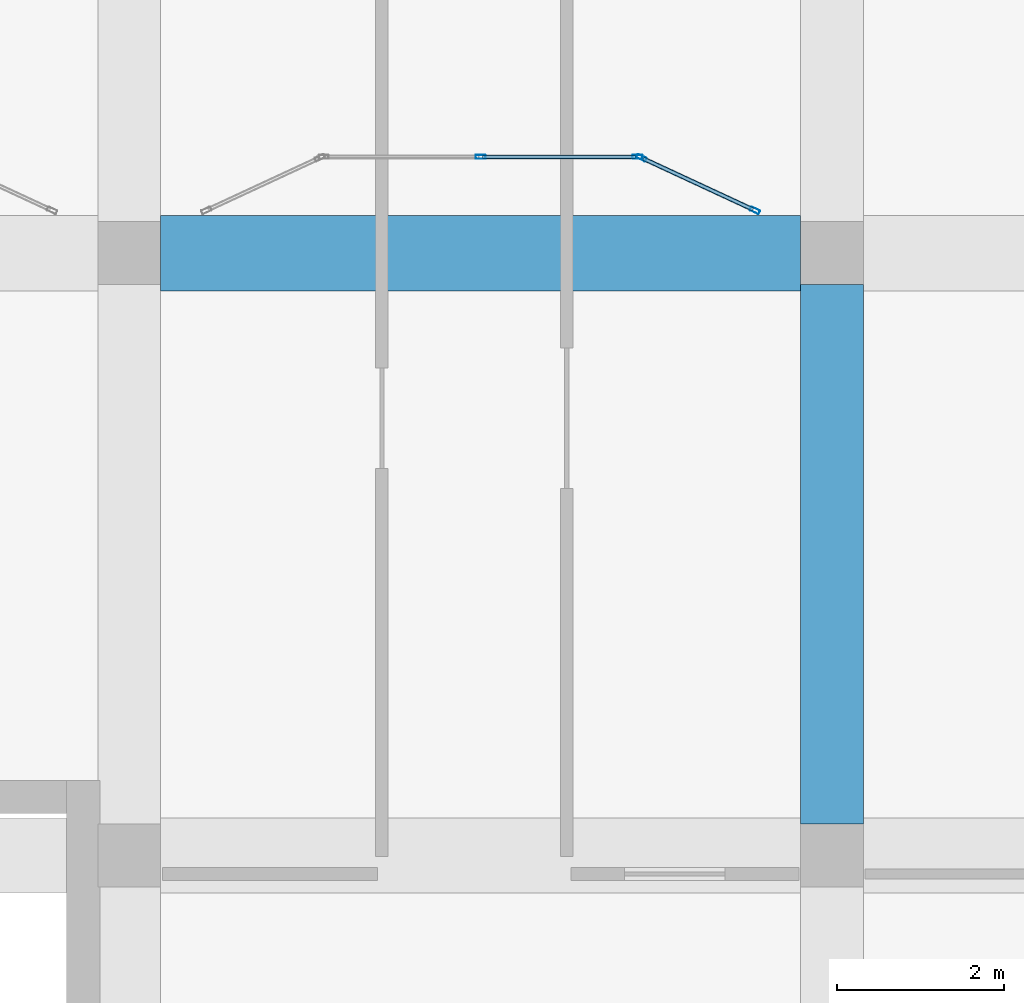
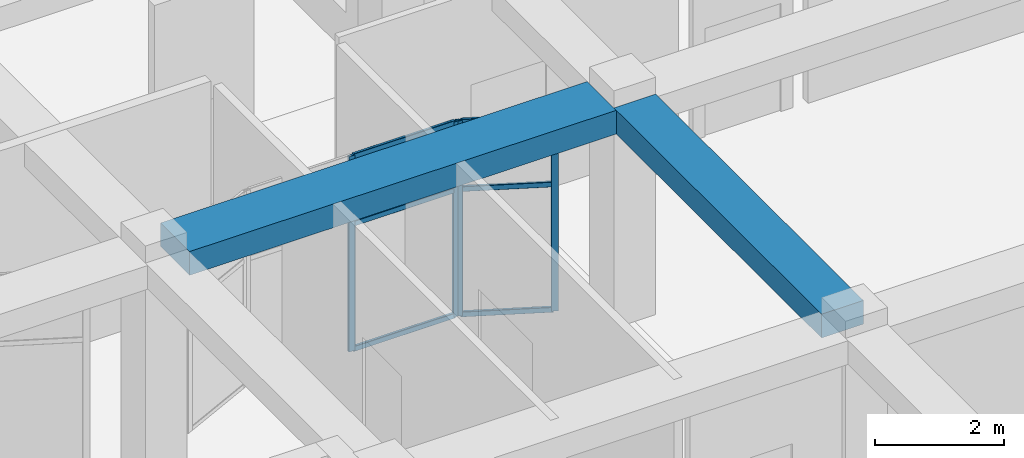
# One storey, part 25 of 121: 10 members, 2 beams, 2 elements without a shape of their own.
"""IFC4 building model written with IfcOpenShell, lengths in metres."""

from ifc_helpers import new_model, si_unit, derived_unit, direction, frame, origin, origin_2d, place, context, subcontext, project, spatial, rectangle, hollow_rectangle, extrude, material, material_profile, profile_set, type_object, element, aggregate, save


model = new_model("IFC4")

# Units and contexts
model_context = context("Model", 3, precision=1e-05, world=origin(), true_north=direction((0.0, 1.0)))
body_context = subcontext(model_context, "Body", "Model", "MODEL_VIEW")
ifc_project = project(units=[si_unit("LENGTHUNIT", "METRE"), si_unit("AREAUNIT", "SQUARE_METRE"), si_unit("VOLUMEUNIT", "CUBIC_METRE"), si_unit("PLANEANGLEUNIT", "RADIAN"), si_unit("MASSUNIT", "GRAM", prefix="KILO"), derived_unit("THERMALTRANSMITTANCEUNIT", [(si_unit("POWERUNIT", "WATT"), 1), (si_unit("LENGTHUNIT", "METRE"), -2), (si_unit("THERMODYNAMICTEMPERATUREUNIT", "KELVIN"), -1)])], contexts=[model_context])

# Site, building, storey
site_placement = place(None, origin())
site = spatial("IfcSite", under=ifc_project, at=site_placement, CompositionType="ELEMENT")
building_placement = place(site_placement, origin())
building = spatial("IfcBuilding", under=site, at=building_placement, Name="Veybourne Emporium", CompositionType="ELEMENT")
storey_placement = place(building_placement, frame((0.0, 0.0, 5.39990234375)))
storey = spatial("IfcBuildingStorey", under=building, at=storey_placement, Name="L01", CompositionType="ELEMENT", Elevation=5.39990234375)

# Curtain wall, members
ifc_material_1 = material(Name="Patinated Architectural Bronze", Category="bronze")
curtain_wall_type_1 = type_object("IfcCurtainWallType", Name="CWSystem_CWI-06", PredefinedType="NOTDEFINED", material=ifc_material_1)
curtain_wall_1_placement = place(storey_placement, origin())
curtain_wall_1 = element("IfcCurtainWall", 1, at=curtain_wall_1_placement, inside=storey, type_object=curtain_wall_type_1, Name="Arcade bow-front boutique shopfront L01 bay 10 facet 2", PredefinedType="NOTDEFINED")
ifc_material_profile_1 = material_profile(ifc_material_1, hollow_rectangle(XDim=0.050048828125, YDim=0.1201171875, WallThickness=0.00390625, InnerFilletRadius=0.006103515625, OuterFilletRadius=0.010009765625, at=origin_2d()), Name="CWM 50x120x4")
ifc_profile_set_1 = profile_set([ifc_material_profile_1], Name="Patinated Architectural Bronze")
member_type_1 = type_object("IfcMemberType", Name="CWMullion_CW-M5", PredefinedType="MULLION", material=ifc_profile_set_1)
member_1_placement = place(storey_placement, frame((88.199951171875, 22.75, 0.0), z_axis=(0.0, 0.0, 1.0), x_axis=(0.0, 1.0, 0.0)))
member_1 = element("IfcMember", 2, at=member_1_placement, type_object=member_type_1, Name="CWI-06 mullion 2", PredefinedType="MULLION", context=body_context, shape_type="SweptSolid", body=[
    extrude(hollow_rectangle(XDim=0.050048828125, YDim=0.1201171875, WallThickness=0.00390625, InnerFilletRadius=0.006103515625, OuterFilletRadius=0.010009765625, at=origin_2d()), origin(), (0.0, 0.0, 1.0), 3.7001953125),
])
member_2_placement = place(storey_placement, frame((90.074951171875, 22.75, 0.0), z_axis=(0.0, 0.0, 1.0), x_axis=(0.0, 1.0, 0.0)))
member_2 = element("IfcMember", 3, at=member_2_placement, type_object=member_type_1, Name="CWI-06 mullion 3", PredefinedType="MULLION", context=body_context, shape_type="SweptSolid", body=[
    extrude(hollow_rectangle(XDim=0.050048828125, YDim=0.1201171875, WallThickness=0.00390625, InnerFilletRadius=0.006103515625, OuterFilletRadius=0.010009765625, at=origin_2d()), origin(), (0.0, 0.0, 1.0), 3.7001953125),
])

curtain_wall_type_2 = type_object("IfcCurtainWallType", Name="CWSystem_CWI-01", PredefinedType="NOTDEFINED", material=ifc_material_1)
curtain_wall_2_placement = place(storey_placement, origin())
curtain_wall_2 = element("IfcCurtainWall", 4, at=curtain_wall_2_placement, inside=storey, type_object=curtain_wall_type_2, Name="Arcade bow-front boutique shopfront L01 bay 10 facet 3", PredefinedType="NOTDEFINED")
member_3_placement = place(storey_placement, frame((90.12255859375, 22.739501953125, 0.0), z_axis=(0.0, 0.0, 1.0), x_axis=(0.421111306453, 0.907008967749, 0.0)))
member_3 = element("IfcMember", 5, at=member_3_placement, type_object=member_type_1, Name="CWI-01 mullion 1", PredefinedType="MULLION", context=body_context, shape_type="SweptSolid", body=[
    extrude(hollow_rectangle(XDim=0.050048828125, YDim=0.1201171875, WallThickness=0.00390625, InnerFilletRadius=0.006103515625, OuterFilletRadius=0.010009765625, at=origin_2d()), origin(), (0.0, 0.0, 1.0), 3.7001953125),
])
member_4_placement = place(storey_placement, frame((91.477294921875, 22.110595703125, 0.0), z_axis=(0.0, 0.0, 1.0), x_axis=(0.421111306453, 0.907008967749, 0.0)))
member_4 = element("IfcMember", 6, at=member_4_placement, type_object=member_type_1, Name="CWI-01 mullion 2", PredefinedType="MULLION", context=body_context, shape_type="SweptSolid", body=[
    extrude(hollow_rectangle(XDim=0.050048828125, YDim=0.1201171875, WallThickness=0.00390625, InnerFilletRadius=0.006103515625, OuterFilletRadius=0.010009765625, at=origin_2d()), origin(), (0.0, 0.0, 1.0), 3.7001953125),
])

# Member
ifc_material_profile_2 = material_profile(ifc_material_1, hollow_rectangle(XDim=0.050048828125, YDim=0.10009765625, WallThickness=0.00390625, InnerFilletRadius=0.006103515625, OuterFilletRadius=0.010009765625, at=origin_2d()), Name="CWT 50x100x4")
ifc_profile_set_2 = profile_set([ifc_material_profile_2], Name="Patinated Architectural Bronze")
member_type_2 = type_object("IfcMemberType", Name="CWTransom_CW-T5", PredefinedType="NOTDEFINED", material=ifc_profile_set_2)
member_5_placement = place(storey_placement, frame((88.22509765625, 22.75, 0.025146484375), z_axis=(1.0, 0.0, 0.0), x_axis=(0.0, 1.0, 0.0)))
member_5 = element("IfcMember", 7, at=member_5_placement, type_object=member_type_2, Name="CWI-06 transom 2.1", ObjectType="TRANSOM", PredefinedType="USERDEFINED", context=body_context, shape_type="SweptSolid", body=[
    extrude(hollow_rectangle(XDim=0.050048828125, YDim=0.10009765625, WallThickness=0.00390625, InnerFilletRadius=0.006103515625, OuterFilletRadius=0.010009765625, at=origin_2d()), origin(), (0.0, 0.0, 1.0), 1.824951171875),
])

member_6_placement = place(storey_placement, frame((88.22509765625, 22.75, 2.400146484375), z_axis=(1.0, 0.0, 0.0), x_axis=(0.0, 1.0, 0.0)))
member_6 = element("IfcMember", 8, at=member_6_placement, type_object=member_type_2, Name="CWI-06 transom 2.2", ObjectType="TRANSOM", PredefinedType="USERDEFINED", context=body_context, shape_type="SweptSolid", body=[
    extrude(hollow_rectangle(XDim=0.050048828125, YDim=0.10009765625, WallThickness=0.00390625, InnerFilletRadius=0.006103515625, OuterFilletRadius=0.010009765625, at=origin_2d()), origin(), (0.0, 0.0, 1.0), 1.824951171875),
])

member_7_placement = place(storey_placement, frame((88.22509765625, 22.75, 3.675048828125), z_axis=(1.0, 0.0, 0.0), x_axis=(0.0, 1.0, 0.0)))
member_7 = element("IfcMember", 9, at=member_7_placement, type_object=member_type_2, Name="CWI-06 transom 2.3", ObjectType="TRANSOM", PredefinedType="USERDEFINED", context=body_context, shape_type="SweptSolid", body=[
    extrude(hollow_rectangle(XDim=0.050048828125, YDim=0.10009765625, WallThickness=0.00390625, InnerFilletRadius=0.006103515625, OuterFilletRadius=0.010009765625, at=origin_2d()), origin(), (0.0, 0.0, 1.0), 1.824951171875),
])

aggregate(curtain_wall_1, [member_1, member_2, member_5, member_6, member_7])

member_8_placement = place(storey_placement, frame((90.145263671875, 22.72900390625, 0.025146484375), z_axis=(0.907006660705, -0.421116275435, 0.0), x_axis=(0.421116275435, 0.907006660705, 0.0)))
member_8 = element("IfcMember", 10, at=member_8_placement, type_object=member_type_2, Name="CWI-01 transom 1.1", ObjectType="TRANSOM", PredefinedType="USERDEFINED", context=body_context, shape_type="SweptSolid", body=[
    extrude(hollow_rectangle(XDim=0.050048828125, YDim=0.10009765625, WallThickness=0.00390625, InnerFilletRadius=0.006103515625, OuterFilletRadius=0.010009765625, at=origin_2d()), origin(), (0.0, 0.0, 1.0), 1.443603515625),
])

member_9_placement = place(storey_placement, frame((90.145263671875, 22.72900390625, 2.400146484375), z_axis=(0.907006660705, -0.421116275435, 0.0), x_axis=(0.421116275435, 0.907006660705, 0.0)))
member_9 = element("IfcMember", 11, at=member_9_placement, type_object=member_type_2, Name="CWI-01 transom 1.2", ObjectType="TRANSOM", PredefinedType="USERDEFINED", context=body_context, shape_type="SweptSolid", body=[
    extrude(hollow_rectangle(XDim=0.050048828125, YDim=0.10009765625, WallThickness=0.00390625, InnerFilletRadius=0.006103515625, OuterFilletRadius=0.010009765625, at=origin_2d()), origin(), (0.0, 0.0, 1.0), 1.443603515625),
])

member_10_placement = place(storey_placement, frame((90.145263671875, 22.72900390625, 3.675048828125), z_axis=(0.907006660705, -0.421116275435, 0.0), x_axis=(0.421116275435, 0.907006660705, 0.0)))
member_10 = element("IfcMember", 12, at=member_10_placement, type_object=member_type_2, Name="CWI-01 transom 1.3", ObjectType="TRANSOM", PredefinedType="USERDEFINED", context=body_context, shape_type="SweptSolid", body=[
    extrude(hollow_rectangle(XDim=0.050048828125, YDim=0.10009765625, WallThickness=0.00390625, InnerFilletRadius=0.006103515625, OuterFilletRadius=0.010009765625, at=origin_2d()), origin(), (0.0, 0.0, 1.0), 1.443603515625),
])

aggregate(curtain_wall_2, [member_3, member_4, member_8, member_9, member_10])

# Beams
ifc_material_2 = material(Name="Concrete C32/40", Category="concrete")
ifc_material_profile_3 = material_profile(ifc_material_2, rectangle(XDim=0.89990234375, YDim=0.449951171875, at=origin_2d()), Name="RC 900x450")
ifc_profile_set_3 = profile_set([ifc_material_profile_3], Name="Concrete C32/40")
beam_type_1 = type_object("IfcBeamType", Name="RCBeam_BB-03", PredefinedType="BEAM", material=ifc_profile_set_3)
beam_1_placement = place(storey_placement, frame((84.375, 21.60009765625, 3.955078125), z_axis=(1.0, 0.0, 0.0), x_axis=(0.0, 1.0, 0.0)))
element("IfcBeam", 13, at=beam_1_placement, inside=storey, type_object=beam_type_1, Name="L01 X-grid beam BB-03 (10,3)", PredefinedType="BEAM", context=body_context, shape_type="SweptSolid", body=[
    extrude(rectangle(XDim=0.89990234375, YDim=0.449951171875, at=origin_2d()), origin(), (0.0, 0.0, 1.0), 7.64990234375),
])
ifc_material_profile_4 = material_profile(ifc_material_2, rectangle(XDim=0.75, YDim=0.449951171875, at=origin_2d()), Name="RC 750x450")
ifc_profile_set_4 = profile_set([ifc_material_profile_4], Name="Concrete C32/40")
beam_type_2 = type_object("IfcBeamType", Name="RCBeam_BB-04", PredefinedType="BEAM", material=ifc_profile_set_4)
beam_2_placement = place(storey_placement, frame((92.39990234375, 14.77490234375, 3.955078125), z_axis=(0.0, 1.0, 0.0), x_axis=(-1.0, 0.0, 0.0)))
element("IfcBeam", 14, at=beam_2_placement, inside=storey, type_object=beam_type_2, Name="L01 Y-grid beam BB-04 (11,2)", PredefinedType="BEAM", context=body_context, shape_type="SweptSolid", body=[
    extrude(rectangle(XDim=0.75, YDim=0.449951171875, at=origin_2d()), origin(), (0.0, 0.0, 1.0), 6.4501953125),
])

save(model, "model.ifc")
